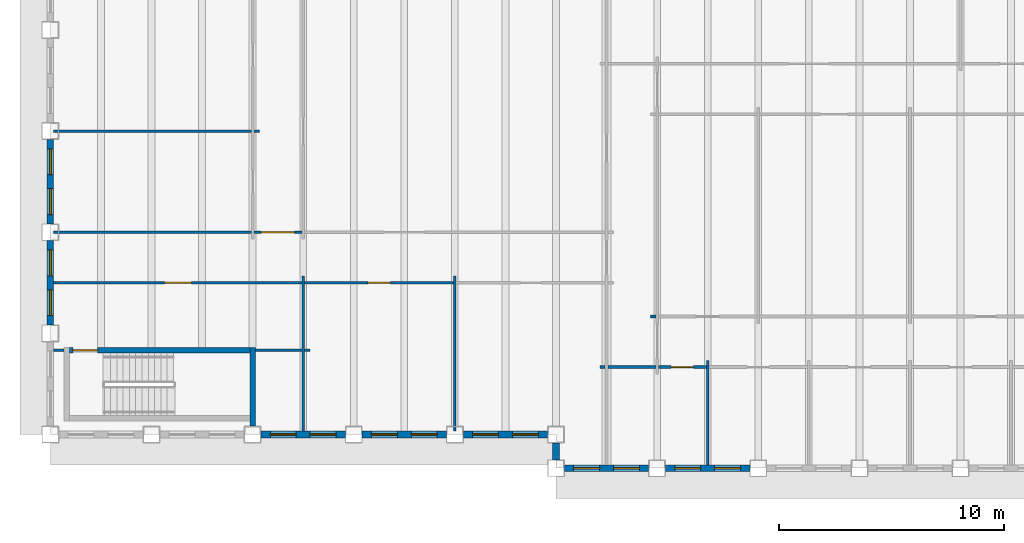
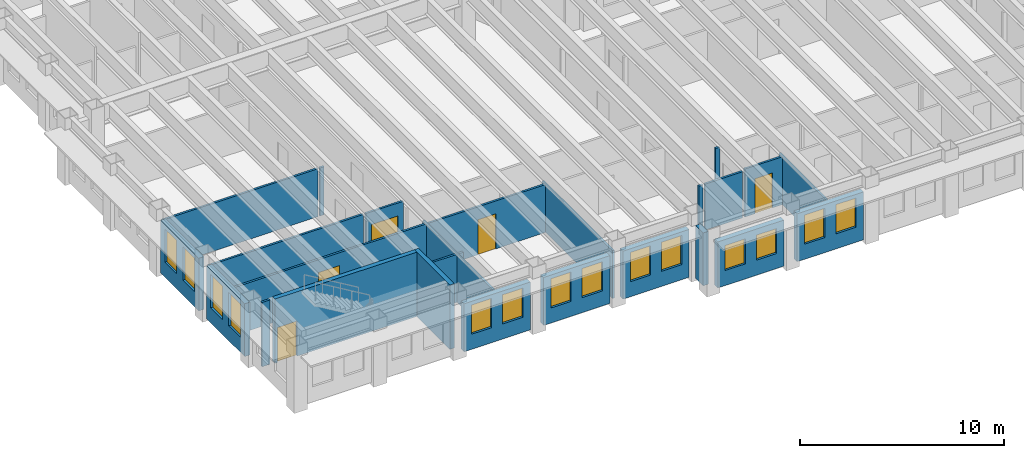
# One storey, part 3 of 17: 26 walls, 14 windows, 5 doors, 19 openings.
"""IFC4 building model written with IfcOpenShell, lengths in metres."""

from ifc_helpers import new_model, si_unit, direction, frame, frame_2d, origin, place, context, subcontext, project, spatial, rectangle, extrude, material, layer, layer_set, type_object, element, fill, save


model = new_model("IFC4")

# Units and contexts
model_context = context("Model", 3, precision=1e-05, world=origin(), true_north=direction((0.0, 1.0)))
body_context = subcontext(model_context, "Body", "Model", "MODEL_VIEW")
ifc_project = project(units=[si_unit("LENGTHUNIT", "METRE"), si_unit("AREAUNIT", "SQUARE_METRE"), si_unit("VOLUMEUNIT", "CUBIC_METRE"), si_unit("PLANEANGLEUNIT", "RADIAN"), si_unit("MASSUNIT", "GRAM", prefix="KILO")], contexts=[model_context])

# Site, building, storey
site_placement = place(None, origin())
site = spatial("IfcSite", under=ifc_project, at=site_placement, CompositionType="ELEMENT")
building_placement = place(site_placement, origin())
building = spatial("IfcBuilding", under=site, at=building_placement, Name="Sennacour Bend Tower", CompositionType="ELEMENT")
storey_placement = place(building_placement, frame((0.0, 0.0, 215.0)))
storey = spatial("IfcBuildingStorey", under=building, at=storey_placement, Name="L49", CompositionType="ELEMENT", Elevation=215.0)

# Walls
ifc_material_1 = material(Name="Plasterboard partition on steel studs", Category="steel")
ifc_layer_1 = layer(ifc_material_1, 0.1201171875, Name="Plasterboard partition on steel studs", Category="steel")
ifc_layer_set_1 = layer_set([ifc_layer_1], Name="Plasterboard partition on steel studs")
wall_type_1 = type_object("IfcWallType", Name="Partition 120", PredefinedType="PARTITIONING", material=ifc_layer_set_1)
for number, where, z_axis, x_axis, name in (
    (1, (11.25, 0.14990234375, 0.0), (0.0, 0.0, 1.0), (0.0, 1.0, 0.0), "P-L49-W012a"),
    (2, (18.0, 0.14990234375, 0.0), (0.0, 0.0, 1.0), (0.0, 1.0, 0.0), "P-L49-W017a"),
):
    element("IfcWall", number, at=place(storey_placement, frame(where, z_axis=z_axis, x_axis=x_axis)), inside=storey, type_object=wall_type_1, Name=name, PredefinedType="PARTITIONING", context=body_context, shape_type="SweptSolid", body=[
        extrude(rectangle(XDim=6.900146484375, YDim=0.1201171875, at=frame_2d((3.4501953125, 0.0))), origin(), (0.0, 0.0, 1.0), 2.8701171875),
    ])
wall_1_placement = place(storey_placement, frame((29.25, -1.35009765625, 0.0), z_axis=(0.0, 0.0, 1.0), x_axis=(0.0, 1.0, 0.0)))
element("IfcWall", 3, at=wall_1_placement, inside=storey, type_object=wall_type_1, Name="P-L49-W024a", PredefinedType="PARTITIONING", context=body_context, shape_type="SweptSolid", body=[
    extrude(rectangle(XDim=4.650146484375, YDim=0.1201171875, at=frame_2d((2.3251953125, 0.0))), origin(), (0.0, 0.0, 1.0), 2.8701171875),
])
wall_2_placement = place(storey_placement, frame((24.449951171875, 3.0, 0.0), z_axis=(0.0, 0.0, 1.0), x_axis=(1.0, 0.0, 0.0)))
element("IfcWall", 4, at=wall_2_placement, inside=storey, type_object=wall_type_1, Name="P-L49-W050aa", PredefinedType="PARTITIONING", context=body_context, shape_type="SweptSolid", body=[
    extrude(rectangle(XDim=0.239990234375, YDim=0.1201171875, at=frame_2d((0.1201171875, 0.0))), origin(), (0.0, 0.0, 1.0), 2.760009765625),
])
wall_3_placement = place(storey_placement, frame((24.81005859375, 3.0, 0.0), z_axis=(0.0, 0.0, 1.0), x_axis=(1.0, 0.0, 0.0)))
element("IfcWall", 5, at=wall_3_placement, inside=storey, type_object=wall_type_1, Name="P-L49-W050ab", PredefinedType="PARTITIONING", context=body_context, shape_type="SweptSolid", body=[
    extrude(rectangle(XDim=2.1298828125, YDim=0.1201171875, at=frame_2d((1.06494140625, 0.0))), origin(), (0.0, 0.0, 1.0), 2.760009765625),
])

# Wall, opening, door
wall_4_placement = place(storey_placement, frame((27.06005859375, 3.0, 0.0), z_axis=(0.0, 0.0, 1.0), x_axis=(1.0, 0.0, 0.0)))
wall_4 = element("IfcWall", 6, at=wall_4_placement, inside=storey, type_object=wall_type_1, Name="P-L49-W050ac", PredefinedType="PARTITIONING", context=body_context, shape_type="SweptSolid", body=[
    extrude(rectangle(XDim=2.1298828125, YDim=0.1201171875, at=frame_2d((1.06494140625, 0.0))), origin(), (0.0, 0.0, 1.0), 2.8701171875),
])
opening_1_placement = place(wall_4_placement, frame((0.56494140625, 0.0, 0.0)))
opening_1 = element("IfcOpeningElement", 7, at=opening_1_placement, cuts=wall_4, Name="Opening OD2", PredefinedType="OPENING", context=body_context, shape_type="SweptSolid", body=[
    extrude(rectangle(XDim=1.0, YDim=2.10009765625, at=frame_2d((0.5, 1.050048828125))), frame((0.0, 0.070068359375, 0.0), z_axis=(0.0, -1.0, 0.0), x_axis=(1.0, 0.0, 0.0)), (0.0, 0.0, 1.0), 0.14013671875),
])
ifc_material_2 = material(Name="Timber", Category="wood")
door_type_1 = type_object("IfcDoorType", Name="DR-OFFICE-1000", OperationType="NOTDEFINED", PredefinedType="DOOR", material=ifc_material_2)
door_1_placement = place(opening_1_placement, origin())
door_1 = element("IfcDoor", 8, at=door_1_placement, inside=storey, type_object=door_type_1, Name="Door", OperationType="SINGLE_SWING_LEFT", OverallHeight=2.10009765625, OverallWidth=1.0, PredefinedType="DOOR", context=body_context, shape_type="SweptSolid", body=[
    extrude(rectangle(XDim=1.0, YDim=2.10009765625, at=frame_2d((0.5, 1.050048828125))), frame((0.0, 0.02490234375, 0.0), z_axis=(0.0, -1.0, 0.0), x_axis=(1.0, 0.0, 0.0)), (0.0, 0.0, 1.0), 0.050048828125),
])
fill(opening_1, door_1)

# Walls
wall_5_placement = place(storey_placement, frame((0.14990234375, 3.75, 0.0), z_axis=(0.0, 0.0, 1.0), x_axis=(1.0, 0.0, 0.0)))
element("IfcWall", 9, at=wall_5_placement, inside=storey, type_object=wall_type_1, Name="P-L49-W051a", PredefinedType="PARTITIONING", context=body_context, shape_type="SweptSolid", body=[
    extrude(rectangle(XDim=0.4501953125, YDim=0.1201171875, at=frame_2d((0.22509765625, 0.0))), origin(), (0.0, 0.0, 1.0), 3.85009765625),
])
wall_6_placement = place(storey_placement, frame((9.125, 3.75, 0.0), z_axis=(0.0, 0.0, 1.0), x_axis=(1.0, 0.0, 0.0)))
element("IfcWall", 10, at=wall_6_placement, inside=storey, type_object=wall_type_1, Name="P-L49-W053aa", PredefinedType="PARTITIONING", context=body_context, shape_type="SweptSolid", body=[
    extrude(rectangle(XDim=2.06494140625, YDim=0.1201171875, at=frame_2d((1.032470703125, 0.0))), origin(), (0.0, 0.0, 1.0), 2.8701171875),
])
for number, where, z_axis, x_axis, name in (
    (11, (11.31005859375, 3.75, 0.0), (0.0, 0.0, 1.0), (1.0, 0.0, 0.0), "P-L49-W053ab"),
    (12, (26.699951171875, 5.25, 0.0), (0.0, 0.0, 1.0), (1.0, 0.0, 0.0), "P-L49-W056aa"),
):
    element("IfcWall", number, at=place(storey_placement, frame(where, z_axis=z_axis, x_axis=x_axis)), inside=storey, type_object=wall_type_1, Name=name, PredefinedType="PARTITIONING", context=body_context, shape_type="SweptSolid", body=[
        extrude(rectangle(XDim=0.239990234375, YDim=0.1201171875, at=frame_2d((0.1201171875, 0.0))), origin(), (0.0, 0.0, 1.0), 2.8701171875),
    ])

# Wall, opening, door
wall_7_placement = place(storey_placement, frame((11.31005859375, 6.75, 0.0), z_axis=(0.0, 0.0, 1.0), x_axis=(1.0, 0.0, 0.0)))
wall_7 = element("IfcWall", 13, at=wall_7_placement, inside=storey, type_object=wall_type_1, Name="P-L49-W058ab", PredefinedType="PARTITIONING", context=body_context, shape_type="SweptSolid", body=[
    extrude(rectangle(XDim=6.6298828125, YDim=0.1201171875, at=frame_2d((3.31494140625, 0.0))), origin(), (0.0, 0.0, 1.0), 2.8701171875),
])
opening_2_placement = place(wall_7_placement, frame((2.81494140625, 0.0, 0.0)))
opening_2 = element("IfcOpeningElement", 14, at=opening_2_placement, cuts=wall_7, Name="Opening OD2", PredefinedType="OPENING", context=body_context, shape_type="SweptSolid", body=[
    extrude(rectangle(XDim=1.0, YDim=2.10009765625, at=frame_2d((0.5, 1.050048828125))), frame((0.0, 0.070068359375, 0.0), z_axis=(0.0, -1.0, 0.0), x_axis=(1.0, 0.0, 0.0)), (0.0, 0.0, 1.0), 0.14013671875),
])
door_2_placement = place(opening_2_placement, origin())
door_2 = element("IfcDoor", 15, at=door_2_placement, inside=storey, type_object=door_type_1, Name="Door", OperationType="SINGLE_SWING_LEFT", OverallHeight=2.10009765625, OverallWidth=1.0, PredefinedType="DOOR", context=body_context, shape_type="SweptSolid", body=[
    extrude(rectangle(XDim=1.0, YDim=2.10009765625, at=frame_2d((0.5, 1.050048828125))), frame((0.0, 0.02490234375, 0.0), z_axis=(0.0, -1.0, 0.0), x_axis=(1.0, 0.0, 0.0)), (0.0, 0.0, 1.0), 0.050048828125),
])
fill(opening_2, door_2)

# Walls
for number, where, z_axis, x_axis, name in (
    (16, (0.14990234375, 9.0, 0.0), (0.0, 0.0, 1.0), (1.0, 0.0, 0.0), "P-L49-W060aa"),
    (17, (0.14990234375, 13.5, 0.0), (0.0, 0.0, 1.0), (1.0, 0.0, 0.0), "P-L49-W064aa"),
):
    element("IfcWall", number, at=place(storey_placement, frame(where, z_axis=z_axis, x_axis=x_axis)), inside=storey, type_object=wall_type_1, Name=name, PredefinedType="PARTITIONING", context=body_context, shape_type="SweptSolid", body=[
        extrude(rectangle(XDim=8.7900390625, YDim=0.1201171875, at=frame_2d((4.39501953125, 0.0))), origin(), (0.0, 0.0, 1.0), 2.8701171875),
    ])
wall_8_placement = place(storey_placement, frame((9.06005859375, 13.5, 0.0), z_axis=(0.0, 0.0, 1.0), x_axis=(1.0, 0.0, 0.0)))
element("IfcWall", 18, at=wall_8_placement, inside=storey, type_object=wall_type_1, Name="P-L49-W064ab", PredefinedType="PARTITIONING", context=body_context, shape_type="SweptSolid", body=[
    extrude(rectangle(XDim=0.239990234375, YDim=0.1201171875, at=frame_2d((0.1201171875, 0.0))), origin(), (0.0, 0.0, 1.0), 2.8701171875),
])

# Wall, opening, door
ifc_layer_2 = layer(ifc_material_1, 0.1201171875, Name="Plasterboard partition on steel studs", Category="steel")
ifc_layer_set_2 = layer_set([ifc_layer_2], Name="Plasterboard partition on steel studs")
wall_type_2 = type_object("IfcWallType", Name="Partition 120 EI 30", PredefinedType="PARTITIONING", material=ifc_layer_set_2)
wall_9_placement = place(storey_placement, frame((0.14990234375, 6.75, 0.0), z_axis=(0.0, 0.0, 1.0), x_axis=(1.0, 0.0, 0.0)))
wall_9 = element("IfcWall", 19, at=wall_9_placement, inside=storey, type_object=wall_type_2, Name="P-L49-W058aa", PredefinedType="PARTITIONING", context=body_context, shape_type="SweptSolid", body=[
    extrude(rectangle(XDim=11.0400390625, YDim=0.1201171875, at=frame_2d((5.52001953125, 0.0))), origin(), (0.0, 0.0, 1.0), 2.8701171875),
])
opening_3_placement = place(wall_9_placement, frame((4.93017578125, 0.0, 0.0)))
opening_3 = element("IfcOpeningElement", 20, at=opening_3_placement, cuts=wall_9, Name="Opening KD2", PredefinedType="OPENING", context=body_context, shape_type="SweptSolid", body=[
    extrude(rectangle(XDim=1.199951171875, YDim=2.10009765625, at=frame_2d((0.60009765625, 1.050048828125))), frame((0.0, 0.070068359375, 0.0), z_axis=(0.0, -1.0, 0.0), x_axis=(1.0, 0.0, 0.0)), (0.0, 0.0, 1.0), 0.14013671875),
])
ifc_material_3 = material(Name="Painted steel", Category="steel")
door_type_2 = type_object("IfcDoorType", Name="DR-CORRIDOR-1200", OperationType="NOTDEFINED", PredefinedType="DOOR", material=ifc_material_3)
door_3_placement = place(opening_3_placement, origin())
door_3 = element("IfcDoor", 21, at=door_3_placement, inside=storey, type_object=door_type_2, Name="Door", OperationType="SINGLE_SWING_LEFT", OverallHeight=2.10009765625, OverallWidth=1.199951171875, PredefinedType="DOOR", context=body_context, shape_type="SweptSolid", body=[
    extrude(rectangle(XDim=1.199951171875, YDim=2.10009765625, at=frame_2d((0.60009765625, 1.050048828125))), frame((0.0, 0.02490234375, 0.0), z_axis=(0.0, -1.0, 0.0), x_axis=(1.0, 0.0, 0.0)), (0.0, 0.0, 1.0), 0.050048828125),
])
fill(opening_3, door_3)

wall_10_placement = place(storey_placement, frame((9.06005859375, 9.0, 0.0), z_axis=(0.0, 0.0, 1.0), x_axis=(1.0, 0.0, 0.0)))
wall_10 = element("IfcWall", 22, at=wall_10_placement, inside=storey, type_object=wall_type_2, Name="P-L49-W060ab", PredefinedType="PARTITIONING", context=body_context, shape_type="SweptSolid", body=[
    extrude(rectangle(XDim=2.1298828125, YDim=0.1201171875, at=frame_2d((1.06494140625, 0.0))), origin(), (0.0, 0.0, 1.0), 2.8701171875),
])
opening_4_placement = place(wall_10_placement, frame((0.31494140625, 0.0, 0.0)))
opening_4 = element("IfcOpeningElement", 23, at=opening_4_placement, cuts=wall_10, Name="Opening KD", PredefinedType="OPENING", context=body_context, shape_type="SweptSolid", body=[
    extrude(rectangle(XDim=1.5, YDim=2.10009765625, at=frame_2d((0.75, 1.050048828125))), frame((0.0, 0.070068359375, 0.0), z_axis=(0.0, -1.0, 0.0), x_axis=(1.0, 0.0, 0.0)), (0.0, 0.0, 1.0), 0.14013671875),
])
door_type_3 = type_object("IfcDoorType", Name="DR-CORRIDOR-1500", OperationType="NOTDEFINED", PredefinedType="DOOR", material=ifc_material_3)
door_4_placement = place(opening_4_placement, origin())
door_4 = element("IfcDoor", 24, at=door_4_placement, inside=storey, type_object=door_type_3, Name="Door", OperationType="SINGLE_SWING_LEFT", OverallHeight=2.10009765625, OverallWidth=1.5, PredefinedType="DOOR", context=body_context, shape_type="SweptSolid", body=[
    extrude(rectangle(XDim=1.5, YDim=2.10009765625, at=frame_2d((0.75, 1.050048828125))), frame((0.0, 0.02490234375, 0.0), z_axis=(0.0, -1.0, 0.0), x_axis=(1.0, 0.0, 0.0)), (0.0, 0.0, 1.0), 0.050048828125),
])
fill(opening_4, door_4)

# Wall, openings, windows
ifc_material_4 = material(Name="Warm limestone cladding", Category="masonry")
ifc_layer_3 = layer(ifc_material_4, 0.050048828125, Name="Warm limestone cladding", Category="masonry")
ifc_material_5 = material(Name="Precast concrete C40/50", Category="concrete")
ifc_layer_4 = layer(ifc_material_5, 0.25, Name="Precast concrete C40/50", Category="concrete")
ifc_layer_set_3 = layer_set([ifc_layer_3, ifc_layer_4], Name="Precast concrete C40/50 with limestone cladding")
wall_type_3 = type_object("IfcWallType", Name="STONE-CLAD PRECAST SPANDREL 300", PredefinedType="STANDARD", material=ifc_layer_set_3)
wall_11_placement = place(storey_placement, frame((22.875, -1.5, 0.0), z_axis=(0.0, 0.0, 1.0), x_axis=(1.0, 0.0, 0.0)))
wall_11 = element("IfcWall", 25, at=wall_11_placement, inside=storey, type_object=wall_type_3, Name="Stone spandrel and pier wall L49 00.00", PredefinedType="STANDARD", context=body_context, shape_type="SweptSolid", body=[
    extrude(rectangle(XDim=3.75, YDim=0.300048828125, at=frame_2d((1.875, 0.0))), origin(), (0.0, 0.0, 1.0), 2.760009765625),
])
opening_5_placement = place(wall_11_placement, frame((0.41259765625, 0.0, 0.89990234375)))
opening_5 = element("IfcOpeningElement", 26, at=opening_5_placement, cuts=wall_11, Name="Opening W22", PredefinedType="OPENING", context=body_context, shape_type="SweptSolid", body=[
    extrude(rectangle(XDim=1.14990234375, YDim=1.5, at=frame_2d((0.574951171875, 0.75))), frame((0.0, 0.16015625, 0.0), z_axis=(0.0, -1.0, 0.0), x_axis=(1.0, 0.0, 0.0)), (0.0, 0.0, 1.0), 0.320068359375),
])
opening_6_placement = place(wall_11_placement, frame((2.1875, 0.0, 0.89990234375)))
opening_6 = element("IfcOpeningElement", 27, at=opening_6_placement, cuts=wall_11, Name="Opening W22", PredefinedType="OPENING", context=body_context, shape_type="SweptSolid", body=[
    extrude(rectangle(XDim=1.14990234375, YDim=1.5, at=frame_2d((0.574951171875, 0.75))), frame((0.0, 0.16015625, 0.0), z_axis=(0.0, -1.0, 0.0), x_axis=(1.0, 0.0, 0.0)), (0.0, 0.0, 1.0), 0.320068359375),
])
ifc_material_6 = material(Name="Clear low-emissivity glass", Category="glass")
window_type_1 = type_object("IfcWindowType", Name="WIN-RIBBON-1150x1500", PartitioningType="SINGLE_PANEL", PredefinedType="WINDOW", material=ifc_material_6)
window_1_placement = place(opening_5_placement, origin())
window_1 = element("IfcWindow", 28, at=window_1_placement, inside=storey, type_object=window_type_1, Name="Ribbon window L49 00.00.0", OverallHeight=1.5, OverallWidth=1.14990234375, PartitioningType="SINGLE_PANEL", PredefinedType="WINDOW", context=body_context, shape_type="SweptSolid", body=[
    extrude(rectangle(XDim=1.14990234375, YDim=1.5, at=frame_2d((0.574951171875, 0.75))), frame((0.0, 0.030029296875, 0.0), z_axis=(0.0, -1.0, 0.0), x_axis=(1.0, 0.0, 0.0)), (0.0, 0.0, 1.0), 0.06005859375),
])
fill(opening_5, window_1)
window_2_placement = place(opening_6_placement, origin())
window_2 = element("IfcWindow", 29, at=window_2_placement, inside=storey, type_object=window_type_1, Name="Ribbon window L49 00.00.1", OverallHeight=1.5, OverallWidth=1.14990234375, PartitioningType="SINGLE_PANEL", PredefinedType="WINDOW", context=body_context, shape_type="SweptSolid", body=[
    extrude(rectangle(XDim=1.14990234375, YDim=1.5, at=frame_2d((0.574951171875, 0.75))), frame((0.0, 0.030029296875, 0.0), z_axis=(0.0, -1.0, 0.0), x_axis=(1.0, 0.0, 0.0)), (0.0, 0.0, 1.0), 0.06005859375),
])
fill(opening_6, window_2)

wall_12_placement = place(storey_placement, frame((27.375, -1.5, 0.0), z_axis=(0.0, 0.0, 1.0), x_axis=(1.0, 0.0, 0.0)))
wall_12 = element("IfcWall", 30, at=wall_12_placement, inside=storey, type_object=wall_type_3, Name="Stone spandrel and pier wall L49 00.01", PredefinedType="STANDARD", context=body_context, shape_type="SweptSolid", body=[
    extrude(rectangle(XDim=3.75, YDim=0.300048828125, at=frame_2d((1.875, 0.0))), origin(), (0.0, 0.0, 1.0), 2.8701171875),
])
opening_7_placement = place(wall_12_placement, frame((0.41259765625, 0.0, 0.89990234375)))
opening_7 = element("IfcOpeningElement", 31, at=opening_7_placement, cuts=wall_12, Name="Opening W23", PredefinedType="OPENING", context=body_context, shape_type="SweptSolid", body=[
    extrude(rectangle(XDim=1.14990234375, YDim=1.75, at=frame_2d((0.574951171875, 0.875))), frame((0.0, 0.16015625, 0.0), z_axis=(0.0, -1.0, 0.0), x_axis=(1.0, 0.0, 0.0)), (0.0, 0.0, 1.0), 0.320068359375),
])
opening_8_placement = place(wall_12_placement, frame((2.1875, 0.0, 0.89990234375)))
opening_8 = element("IfcOpeningElement", 32, at=opening_8_placement, cuts=wall_12, Name="Opening W23", PredefinedType="OPENING", context=body_context, shape_type="SweptSolid", body=[
    extrude(rectangle(XDim=1.14990234375, YDim=1.75, at=frame_2d((0.574951171875, 0.875))), frame((0.0, 0.16015625, 0.0), z_axis=(0.0, -1.0, 0.0), x_axis=(1.0, 0.0, 0.0)), (0.0, 0.0, 1.0), 0.320068359375),
])
window_type_2 = type_object("IfcWindowType", Name="WIN-RIBBON-1150x1750", PartitioningType="SINGLE_PANEL", PredefinedType="WINDOW", material=ifc_material_6)
window_3_placement = place(opening_7_placement, origin())
window_3 = element("IfcWindow", 33, at=window_3_placement, inside=storey, type_object=window_type_2, Name="Ribbon window L49 00.01.0", OverallHeight=1.75, OverallWidth=1.14990234375, PartitioningType="SINGLE_PANEL", PredefinedType="WINDOW", context=body_context, shape_type="SweptSolid", body=[
    extrude(rectangle(XDim=1.14990234375, YDim=1.75, at=frame_2d((0.574951171875, 0.875))), frame((0.0, 0.030029296875, 0.0), z_axis=(0.0, -1.0, 0.0), x_axis=(1.0, 0.0, 0.0)), (0.0, 0.0, 1.0), 0.06005859375),
])
fill(opening_7, window_3)
window_4_placement = place(opening_8_placement, origin())
window_4 = element("IfcWindow", 34, at=window_4_placement, inside=storey, type_object=window_type_2, Name="Ribbon window L49 00.01.1", OverallHeight=1.75, OverallWidth=1.14990234375, PartitioningType="SINGLE_PANEL", PredefinedType="WINDOW", context=body_context, shape_type="SweptSolid", body=[
    extrude(rectangle(XDim=1.14990234375, YDim=1.75, at=frame_2d((0.574951171875, 0.875))), frame((0.0, 0.030029296875, 0.0), z_axis=(0.0, -1.0, 0.0), x_axis=(1.0, 0.0, 0.0)), (0.0, 0.0, 1.0), 0.06005859375),
])
fill(opening_8, window_4)

wall_13_placement = place(storey_placement, frame((0.0, 13.125, 0.0), z_axis=(0.0, 0.0, 1.0), x_axis=(0.0, -1.0, 0.0)))
wall_13 = element("IfcWall", 35, at=wall_13_placement, inside=storey, type_object=wall_type_3, Name="Stone spandrel and pier wall L49 21.02", PredefinedType="STANDARD", context=body_context, shape_type="SweptSolid", body=[
    extrude(rectangle(XDim=3.75, YDim=0.300048828125, at=frame_2d((1.875, 0.0))), origin(), (0.0, 0.0, 1.0), 3.156982421875),
])
opening_9_placement = place(wall_13_placement, frame((0.41259765625, 0.0, 0.89990234375)))
opening_9 = element("IfcOpeningElement", 36, at=opening_9_placement, cuts=wall_13, Name="Opening W24", PredefinedType="OPENING", context=body_context, shape_type="SweptSolid", body=[
    extrude(rectangle(XDim=1.14990234375, YDim=2.0, at=frame_2d((0.574951171875, 1.0))), frame((0.0, 0.16015625, 0.0), z_axis=(0.0, -1.0, 0.0), x_axis=(1.0, 0.0, 0.0)), (0.0, 0.0, 1.0), 0.320068359375),
])
opening_10_placement = place(wall_13_placement, frame((2.1875, 0.0, 0.89990234375)))
opening_10 = element("IfcOpeningElement", 37, at=opening_10_placement, cuts=wall_13, Name="Opening W24", PredefinedType="OPENING", context=body_context, shape_type="SweptSolid", body=[
    extrude(rectangle(XDim=1.14990234375, YDim=2.0, at=frame_2d((0.574951171875, 1.0))), frame((0.0, 0.16015625, 0.0), z_axis=(0.0, -1.0, 0.0), x_axis=(1.0, 0.0, 0.0)), (0.0, 0.0, 1.0), 0.320068359375),
])
window_type_3 = type_object("IfcWindowType", Name="WIN-RIBBON-1150x2000", PartitioningType="SINGLE_PANEL", PredefinedType="WINDOW", material=ifc_material_6)
window_5_placement = place(opening_9_placement, origin())
window_5 = element("IfcWindow", 38, at=window_5_placement, inside=storey, type_object=window_type_3, Name="Ribbon window L49 21.02.0", OverallHeight=2.0, OverallWidth=1.14990234375, PartitioningType="SINGLE_PANEL", PredefinedType="WINDOW", context=body_context, shape_type="SweptSolid", body=[
    extrude(rectangle(XDim=1.14990234375, YDim=2.0, at=frame_2d((0.574951171875, 1.0))), frame((0.0, 0.030029296875, 0.0), z_axis=(0.0, -1.0, 0.0), x_axis=(1.0, 0.0, 0.0)), (0.0, 0.0, 1.0), 0.06005859375),
])
fill(opening_9, window_5)
window_6_placement = place(opening_10_placement, origin())
window_6 = element("IfcWindow", 39, at=window_6_placement, inside=storey, type_object=window_type_3, Name="Ribbon window L49 21.02.1", OverallHeight=2.0, OverallWidth=1.14990234375, PartitioningType="SINGLE_PANEL", PredefinedType="WINDOW", context=body_context, shape_type="SweptSolid", body=[
    extrude(rectangle(XDim=1.14990234375, YDim=2.0, at=frame_2d((0.574951171875, 1.0))), frame((0.0, 0.030029296875, 0.0), z_axis=(0.0, -1.0, 0.0), x_axis=(1.0, 0.0, 0.0)), (0.0, 0.0, 1.0), 0.06005859375),
])
fill(opening_10, window_6)

wall_14_placement = place(storey_placement, frame((0.0, 8.625, 0.0), z_axis=(0.0, 0.0, 1.0), x_axis=(0.0, -1.0, 0.0)))
wall_14 = element("IfcWall", 40, at=wall_14_placement, inside=storey, type_object=wall_type_3, Name="Stone spandrel and pier wall L49 21.03", PredefinedType="STANDARD", context=body_context, shape_type="SweptSolid", body=[
    extrude(rectangle(XDim=3.75, YDim=0.300048828125, at=frame_2d((1.875, 0.0))), origin(), (0.0, 0.0, 1.0), 3.156982421875),
])
opening_11_placement = place(wall_14_placement, frame((0.41259765625, 0.0, 0.89990234375)))
opening_11 = element("IfcOpeningElement", 41, at=opening_11_placement, cuts=wall_14, Name="Opening W24", PredefinedType="OPENING", context=body_context, shape_type="SweptSolid", body=[
    extrude(rectangle(XDim=1.14990234375, YDim=2.0, at=frame_2d((0.574951171875, 1.0))), frame((0.0, 0.16015625, 0.0), z_axis=(0.0, -1.0, 0.0), x_axis=(1.0, 0.0, 0.0)), (0.0, 0.0, 1.0), 0.320068359375),
])
opening_12_placement = place(wall_14_placement, frame((2.1875, 0.0, 0.89990234375)))
opening_12 = element("IfcOpeningElement", 42, at=opening_12_placement, cuts=wall_14, Name="Opening W24", PredefinedType="OPENING", context=body_context, shape_type="SweptSolid", body=[
    extrude(rectangle(XDim=1.14990234375, YDim=2.0, at=frame_2d((0.574951171875, 1.0))), frame((0.0, 0.16015625, 0.0), z_axis=(0.0, -1.0, 0.0), x_axis=(1.0, 0.0, 0.0)), (0.0, 0.0, 1.0), 0.320068359375),
])
window_7_placement = place(opening_11_placement, origin())
window_7 = element("IfcWindow", 43, at=window_7_placement, inside=storey, type_object=window_type_3, Name="Ribbon window L49 21.03.0", OverallHeight=2.0, OverallWidth=1.14990234375, PartitioningType="SINGLE_PANEL", PredefinedType="WINDOW", context=body_context, shape_type="SweptSolid", body=[
    extrude(rectangle(XDim=1.14990234375, YDim=2.0, at=frame_2d((0.574951171875, 1.0))), frame((0.0, 0.030029296875, 0.0), z_axis=(0.0, -1.0, 0.0), x_axis=(1.0, 0.0, 0.0)), (0.0, 0.0, 1.0), 0.06005859375),
])
fill(opening_11, window_7)
window_8_placement = place(opening_12_placement, origin())
window_8 = element("IfcWindow", 44, at=window_8_placement, inside=storey, type_object=window_type_3, Name="Ribbon window L49 21.03.1", OverallHeight=2.0, OverallWidth=1.14990234375, PartitioningType="SINGLE_PANEL", PredefinedType="WINDOW", context=body_context, shape_type="SweptSolid", body=[
    extrude(rectangle(XDim=1.14990234375, YDim=2.0, at=frame_2d((0.574951171875, 1.0))), frame((0.0, 0.030029296875, 0.0), z_axis=(0.0, -1.0, 0.0), x_axis=(1.0, 0.0, 0.0)), (0.0, 0.0, 1.0), 0.06005859375),
])
fill(opening_12, window_8)

wall_15_placement = place(storey_placement, frame((9.375, 0.0, 0.0), z_axis=(0.0, 0.0, 1.0), x_axis=(1.0, 0.0, 0.0)))
wall_15 = element("IfcWall", 45, at=wall_15_placement, inside=storey, type_object=wall_type_3, Name="Stone spandrel and pier wall L49 22.02", PredefinedType="STANDARD", context=body_context, shape_type="SweptSolid", body=[
    extrude(rectangle(XDim=3.75, YDim=0.300048828125, at=frame_2d((1.875, 0.0))), origin(), (0.0, 0.0, 1.0), 2.8701171875),
])
opening_13_placement = place(wall_15_placement, frame((0.41259765625, 0.0, 0.89990234375)))
opening_13 = element("IfcOpeningElement", 46, at=opening_13_placement, cuts=wall_15, Name="Opening W23", PredefinedType="OPENING", context=body_context, shape_type="SweptSolid", body=[
    extrude(rectangle(XDim=1.14990234375, YDim=1.75, at=frame_2d((0.574951171875, 0.875))), frame((0.0, 0.16015625, 0.0), z_axis=(0.0, -1.0, 0.0), x_axis=(1.0, 0.0, 0.0)), (0.0, 0.0, 1.0), 0.320068359375),
])
opening_14_placement = place(wall_15_placement, frame((2.1875, 0.0, 0.89990234375)))
opening_14 = element("IfcOpeningElement", 47, at=opening_14_placement, cuts=wall_15, Name="Opening W23", PredefinedType="OPENING", context=body_context, shape_type="SweptSolid", body=[
    extrude(rectangle(XDim=1.14990234375, YDim=1.75, at=frame_2d((0.574951171875, 0.875))), frame((0.0, 0.16015625, 0.0), z_axis=(0.0, -1.0, 0.0), x_axis=(1.0, 0.0, 0.0)), (0.0, 0.0, 1.0), 0.320068359375),
])
window_9_placement = place(opening_13_placement, origin())
window_9 = element("IfcWindow", 48, at=window_9_placement, inside=storey, type_object=window_type_2, Name="Ribbon window L49 22.02.0", OverallHeight=1.75, OverallWidth=1.14990234375, PartitioningType="SINGLE_PANEL", PredefinedType="WINDOW", context=body_context, shape_type="SweptSolid", body=[
    extrude(rectangle(XDim=1.14990234375, YDim=1.75, at=frame_2d((0.574951171875, 0.875))), frame((0.0, 0.030029296875, 0.0), z_axis=(0.0, -1.0, 0.0), x_axis=(1.0, 0.0, 0.0)), (0.0, 0.0, 1.0), 0.06005859375),
])
fill(opening_13, window_9)
window_10_placement = place(opening_14_placement, origin())
window_10 = element("IfcWindow", 49, at=window_10_placement, inside=storey, type_object=window_type_2, Name="Ribbon window L49 22.02.1", OverallHeight=1.75, OverallWidth=1.14990234375, PartitioningType="SINGLE_PANEL", PredefinedType="WINDOW", context=body_context, shape_type="SweptSolid", body=[
    extrude(rectangle(XDim=1.14990234375, YDim=1.75, at=frame_2d((0.574951171875, 0.875))), frame((0.0, 0.030029296875, 0.0), z_axis=(0.0, -1.0, 0.0), x_axis=(1.0, 0.0, 0.0)), (0.0, 0.0, 1.0), 0.06005859375),
])
fill(opening_14, window_10)

wall_16_placement = place(storey_placement, frame((13.875, 0.0, 0.0), z_axis=(0.0, 0.0, 1.0), x_axis=(1.0, 0.0, 0.0)))
wall_16 = element("IfcWall", 50, at=wall_16_placement, inside=storey, type_object=wall_type_3, Name="Stone spandrel and pier wall L49 22.03", PredefinedType="STANDARD", context=body_context, shape_type="SweptSolid", body=[
    extrude(rectangle(XDim=3.75, YDim=0.300048828125, at=frame_2d((1.875, 0.0))), origin(), (0.0, 0.0, 1.0), 2.8701171875),
])
opening_15_placement = place(wall_16_placement, frame((0.41259765625, 0.0, 0.89990234375)))
opening_15 = element("IfcOpeningElement", 51, at=opening_15_placement, cuts=wall_16, Name="Opening W23", PredefinedType="OPENING", context=body_context, shape_type="SweptSolid", body=[
    extrude(rectangle(XDim=1.14990234375, YDim=1.75, at=frame_2d((0.574951171875, 0.875))), frame((0.0, 0.16015625, 0.0), z_axis=(0.0, -1.0, 0.0), x_axis=(1.0, 0.0, 0.0)), (0.0, 0.0, 1.0), 0.320068359375),
])
opening_16_placement = place(wall_16_placement, frame((2.1875, 0.0, 0.89990234375)))
opening_16 = element("IfcOpeningElement", 52, at=opening_16_placement, cuts=wall_16, Name="Opening W23", PredefinedType="OPENING", context=body_context, shape_type="SweptSolid", body=[
    extrude(rectangle(XDim=1.14990234375, YDim=1.75, at=frame_2d((0.574951171875, 0.875))), frame((0.0, 0.16015625, 0.0), z_axis=(0.0, -1.0, 0.0), x_axis=(1.0, 0.0, 0.0)), (0.0, 0.0, 1.0), 0.320068359375),
])
window_11_placement = place(opening_15_placement, origin())
window_11 = element("IfcWindow", 53, at=window_11_placement, inside=storey, type_object=window_type_2, Name="Ribbon window L49 22.03.0", OverallHeight=1.75, OverallWidth=1.14990234375, PartitioningType="SINGLE_PANEL", PredefinedType="WINDOW", context=body_context, shape_type="SweptSolid", body=[
    extrude(rectangle(XDim=1.14990234375, YDim=1.75, at=frame_2d((0.574951171875, 0.875))), frame((0.0, 0.030029296875, 0.0), z_axis=(0.0, -1.0, 0.0), x_axis=(1.0, 0.0, 0.0)), (0.0, 0.0, 1.0), 0.06005859375),
])
fill(opening_15, window_11)
window_12_placement = place(opening_16_placement, origin())
window_12 = element("IfcWindow", 54, at=window_12_placement, inside=storey, type_object=window_type_2, Name="Ribbon window L49 22.03.1", OverallHeight=1.75, OverallWidth=1.14990234375, PartitioningType="SINGLE_PANEL", PredefinedType="WINDOW", context=body_context, shape_type="SweptSolid", body=[
    extrude(rectangle(XDim=1.14990234375, YDim=1.75, at=frame_2d((0.574951171875, 0.875))), frame((0.0, 0.030029296875, 0.0), z_axis=(0.0, -1.0, 0.0), x_axis=(1.0, 0.0, 0.0)), (0.0, 0.0, 1.0), 0.06005859375),
])
fill(opening_16, window_12)

wall_17_placement = place(storey_placement, frame((18.375, 0.0, 0.0), z_axis=(0.0, 0.0, 1.0), x_axis=(1.0, 0.0, 0.0)))
wall_17 = element("IfcWall", 55, at=wall_17_placement, inside=storey, type_object=wall_type_3, Name="Stone spandrel and pier wall L49 22.04", PredefinedType="STANDARD", context=body_context, shape_type="SweptSolid", body=[
    extrude(rectangle(XDim=3.75, YDim=0.300048828125, at=frame_2d((1.875, 0.0))), origin(), (0.0, 0.0, 1.0), 2.8701171875),
])
opening_17_placement = place(wall_17_placement, frame((0.41259765625, 0.0, 0.89990234375)))
opening_17 = element("IfcOpeningElement", 56, at=opening_17_placement, cuts=wall_17, Name="Opening W23", PredefinedType="OPENING", context=body_context, shape_type="SweptSolid", body=[
    extrude(rectangle(XDim=1.14990234375, YDim=1.75, at=frame_2d((0.574951171875, 0.875))), frame((0.0, 0.16015625, 0.0), z_axis=(0.0, -1.0, 0.0), x_axis=(1.0, 0.0, 0.0)), (0.0, 0.0, 1.0), 0.320068359375),
])
opening_18_placement = place(wall_17_placement, frame((2.1875, 0.0, 0.89990234375)))
opening_18 = element("IfcOpeningElement", 57, at=opening_18_placement, cuts=wall_17, Name="Opening W23", PredefinedType="OPENING", context=body_context, shape_type="SweptSolid", body=[
    extrude(rectangle(XDim=1.14990234375, YDim=1.75, at=frame_2d((0.574951171875, 0.875))), frame((0.0, 0.16015625, 0.0), z_axis=(0.0, -1.0, 0.0), x_axis=(1.0, 0.0, 0.0)), (0.0, 0.0, 1.0), 0.320068359375),
])
window_13_placement = place(opening_17_placement, origin())
window_13 = element("IfcWindow", 58, at=window_13_placement, inside=storey, type_object=window_type_2, Name="Ribbon window L49 22.04.0", OverallHeight=1.75, OverallWidth=1.14990234375, PartitioningType="SINGLE_PANEL", PredefinedType="WINDOW", context=body_context, shape_type="SweptSolid", body=[
    extrude(rectangle(XDim=1.14990234375, YDim=1.75, at=frame_2d((0.574951171875, 0.875))), frame((0.0, 0.030029296875, 0.0), z_axis=(0.0, -1.0, 0.0), x_axis=(1.0, 0.0, 0.0)), (0.0, 0.0, 1.0), 0.06005859375),
])
fill(opening_17, window_13)
window_14_placement = place(opening_18_placement, origin())
window_14 = element("IfcWindow", 59, at=window_14_placement, inside=storey, type_object=window_type_2, Name="Ribbon window L49 22.04.1", OverallHeight=1.75, OverallWidth=1.14990234375, PartitioningType="SINGLE_PANEL", PredefinedType="WINDOW", context=body_context, shape_type="SweptSolid", body=[
    extrude(rectangle(XDim=1.14990234375, YDim=1.75, at=frame_2d((0.574951171875, 0.875))), frame((0.0, 0.030029296875, 0.0), z_axis=(0.0, -1.0, 0.0), x_axis=(1.0, 0.0, 0.0)), (0.0, 0.0, 1.0), 0.06005859375),
])
fill(opening_18, window_14)

# Walls
wall_18_placement = place(storey_placement, frame((22.5, -0.375, 0.0), z_axis=(0.0, 0.0, 1.0), x_axis=(0.0, -1.0, 0.0)))
element("IfcWall", 60, at=wall_18_placement, inside=storey, type_object=wall_type_3, Name="Stone spandrel and pier wall L49 23.00", PredefinedType="STANDARD", context=body_context, shape_type="SweptSolid", body=[
    extrude(rectangle(XDim=0.75, YDim=0.300048828125, at=frame_2d((0.375, 0.0))), origin(), (0.0, 0.0, 1.0), 3.156982421875),
])
ifc_material_7 = material(Name="Concrete C60/75", Category="concrete")
ifc_layer_5 = layer(ifc_material_7, 0.25, Name="Concrete C60/75", Category="concrete")
ifc_layer_set_4 = layer_set([ifc_layer_5], Name="Concrete C60/75")
wall_type_4 = type_object("IfcWallType", Name="Stair wall 250", PredefinedType="SHEAR", material=ifc_layer_set_4)
wall_19_placement = place(storey_placement, frame((9.0, 0.375, 0.0), z_axis=(0.0, 0.0, 1.0), x_axis=(0.0, 1.0, 0.0)))
element("IfcWall", 61, at=wall_19_placement, inside=storey, type_object=wall_type_4, Name="P-L49-W009", PredefinedType="SHEAR", context=body_context, shape_type="SweptSolid", body=[
    extrude(rectangle(XDim=3.5, YDim=0.25, at=frame_2d((1.75, 0.0))), origin(), (0.0, 0.0, 1.0), 3.85009765625),
])

# Wall, opening, door
wall_20_placement = place(storey_placement, frame((0.85009765625, 3.75, 0.0), z_axis=(0.0, 0.0, 1.0), x_axis=(1.0, 0.0, 0.0)))
wall_20 = element("IfcWall", 62, at=wall_20_placement, inside=storey, type_object=wall_type_4, Name="P-L49-W052", PredefinedType="SHEAR", context=body_context, shape_type="SweptSolid", body=[
    extrude(rectangle(XDim=8.02490234375, YDim=0.25, at=frame_2d((4.012451171875, 0.0))), origin(), (0.0, 0.0, 1.0), 3.85009765625),
])
opening_19_placement = place(wall_20_placement, frame((0.14990234375, 0.0, 0.0)))
opening_19 = element("IfcOpeningElement", 63, at=opening_19_placement, cuts=wall_20, Name="Opening SD", PredefinedType="OPENING", context=body_context, shape_type="SweptSolid", body=[
    extrude(rectangle(XDim=1.10009765625, YDim=2.10009765625, at=frame_2d((0.550048828125, 1.050048828125))), frame((0.0, 0.135009765625, 0.0), z_axis=(0.0, -1.0, 0.0), x_axis=(1.0, 0.0, 0.0)), (0.0, 0.0, 1.0), 0.27001953125),
])
door_type_4 = type_object("IfcDoorType", Name="DR-STAIR-1100", OperationType="NOTDEFINED", PredefinedType="DOOR", material=ifc_material_3)
door_5_placement = place(opening_19_placement, origin())
door_5 = element("IfcDoor", 64, at=door_5_placement, inside=storey, type_object=door_type_4, Name="Door", OperationType="SINGLE_SWING_LEFT", OverallHeight=2.10009765625, OverallWidth=1.10009765625, PredefinedType="DOOR", context=body_context, shape_type="SweptSolid", body=[
    extrude(rectangle(XDim=1.10009765625, YDim=2.10009765625, at=frame_2d((0.550048828125, 1.050048828125))), frame((0.0, 0.02490234375, 0.0), z_axis=(0.0, -1.0, 0.0), x_axis=(1.0, 0.0, 0.0)), (0.0, 0.0, 1.0), 0.050048828125),
])
fill(opening_19, door_5)

save(model, "model.ifc")
